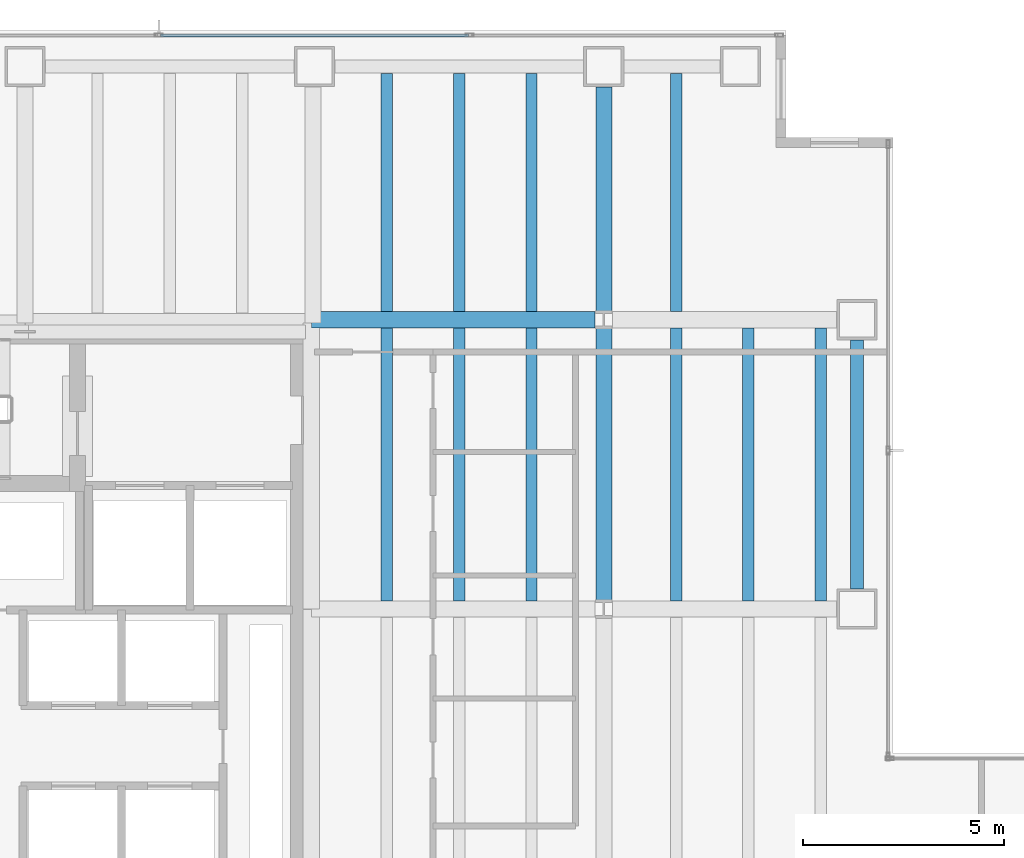
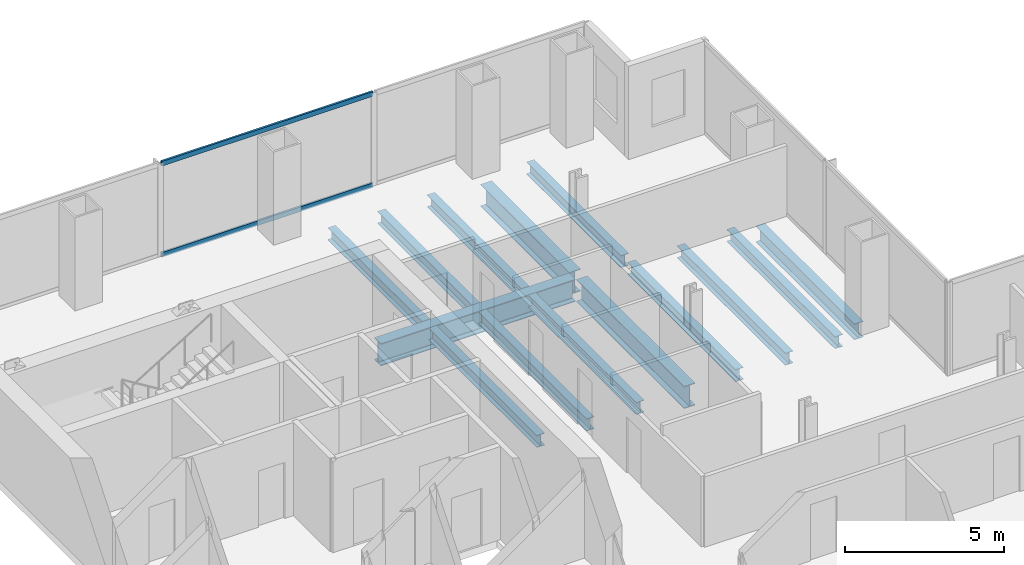
# One storey, part 17 of 25: 14 beams, 2 members, 1 element without a shape of its own.
"""IFC4 building model written with IfcOpenShell, lengths in metres."""

from ifc_helpers import new_model, si_unit, direction, frame, origin, origin_2d, place, context, subcontext, project, spatial, hollow_rectangle, i_section, extrude, material, material_profile, profile_set, type_object, element, aggregate, save


model = new_model("IFC4")

# Units and contexts
model_context = context("Model", 3, precision=1e-05, world=origin(), true_north=direction((0.0, 1.0)))
body_context = subcontext(model_context, "Body", "Model", "MODEL_VIEW")
ifc_project = project(units=[si_unit("LENGTHUNIT", "METRE"), si_unit("AREAUNIT", "SQUARE_METRE"), si_unit("VOLUMEUNIT", "CUBIC_METRE"), si_unit("PLANEANGLEUNIT", "RADIAN"), si_unit("MASSUNIT", "GRAM", prefix="KILO")], contexts=[model_context])

# Site, building, storey
site_placement = place(None, origin())
site = spatial("IfcSite", under=ifc_project, at=site_placement, CompositionType="ELEMENT")
building_placement = place(site_placement, origin())
building = spatial("IfcBuilding", under=site, at=building_placement, Name="Cobrela Telecom Tower", CompositionType="ELEMENT")
storey_placement = place(building_placement, frame((0.0, 0.0, 58.10009765625)))
storey = spatial("IfcBuildingStorey", under=building, at=storey_placement, Name="L14", CompositionType="ELEMENT", Elevation=58.10009765625)

# Beams
ifc_material_1 = material(Name="Steel ASTM A992 Grade 50", Category="steel")
ifc_material_profile_1 = material_profile(ifc_material_1, i_section(OverallWidth=0.39892578125, OverallDepth=0.85595703125, WebThickness=0.018310546875, FlangeThickness=0.029296875, FilletRadius=0.02001953125, at=origin_2d()), Name="W33X201")
ifc_profile_set_1 = profile_set([ifc_material_profile_1], Name="Steel ASTM A992 Grade 50")
beam_type_1 = type_object("IfcBeamType", Name="BM-GIRD-03", PredefinedType="USERDEFINED", material=ifc_profile_set_1)
beam_1_placement = place(storey_placement, frame((14.324951171875, 36.0, -0.7080078125), z_axis=(1.0, 0.0, 0.0), x_axis=(0.0, 1.0, 0.0)))
element("IfcBeam", 1, at=beam_1_placement, inside=storey, type_object=beam_type_1, Name="L14 Primary Girder X27", ObjectType="GIRDER", PredefinedType="USERDEFINED", context=body_context, shape_type="SweptSolid", body=[
    extrude(i_section(OverallWidth=0.39892578125, OverallDepth=0.85595703125, WebThickness=0.018310546875, FlangeThickness=0.029296875, FilletRadius=0.02001953125, at=origin_2d()), origin(), (0.0, 0.0, 1.0), 7.05908203125),
])
beam_2_placement = place(storey_placement, frame((21.60009765625, 29.01611328125, -0.7080078125), z_axis=(0.0, 1.0, 0.0), x_axis=(-1.0, 0.0, 0.0)))
element("IfcBeam", 2, at=beam_2_placement, inside=storey, type_object=beam_type_1, Name="L14 Primary Girder Y44", ObjectType="GIRDER", PredefinedType="USERDEFINED", context=body_context, shape_type="SweptSolid", body=[
    extrude(i_section(OverallWidth=0.39892578125, OverallDepth=0.85595703125, WebThickness=0.018310546875, FlangeThickness=0.029296875, FilletRadius=0.02001953125, at=origin_2d()), origin(), (0.0, 0.0, 1.0), 6.767822265625),
])
beam_3_placement = place(storey_placement, frame((21.60009765625, 36.216064453125, -0.7080078125), z_axis=(0.0, 1.0, 0.0), x_axis=(-1.0, 0.0, 0.0)))
element("IfcBeam", 3, at=beam_3_placement, inside=storey, type_object=beam_type_1, Name="L14 Primary Girder Y45", ObjectType="GIRDER", PredefinedType="USERDEFINED", context=body_context, shape_type="SweptSolid", body=[
    extrude(i_section(OverallWidth=0.39892578125, OverallDepth=0.85595703125, WebThickness=0.018310546875, FlangeThickness=0.029296875, FilletRadius=0.02001953125, at=origin_2d()), origin(), (0.0, 0.0, 1.0), 5.578857421875),
])
ifc_material_profile_2 = material_profile(ifc_material_1, i_section(OverallWidth=0.281982421875, OverallDepth=0.467041015625, WebThickness=0.01220703125, FlangeThickness=0.01953125, FilletRadius=0.012939453125, at=origin_2d()), Name="W18X86")
ifc_profile_set_2 = profile_set([ifc_material_profile_2], Name="Steel ASTM A992 Grade 50")
beam_type_2 = type_object("IfcBeamType", Name="BM-JOIST-02", PredefinedType="JOIST", material=ifc_profile_set_2)
beam_4_placement = place(storey_placement, frame((16.199951171875, 29.00439453125, -0.513671875), z_axis=(0.0, 1.0, 0.0), x_axis=(-1.0, 0.0, 0.0)))
element("IfcBeam", 4, at=beam_4_placement, inside=storey, type_object=beam_type_2, Name="L14 Secondary Composite Floor Beam J11", PredefinedType="JOIST", context=body_context, shape_type="SweptSolid", body=[
    extrude(i_section(OverallWidth=0.281982421875, OverallDepth=0.467041015625, WebThickness=0.01220703125, FlangeThickness=0.01953125, FilletRadius=0.012939453125, at=origin_2d()), origin(), (0.0, 0.0, 1.0), 6.791015625),
])
beam_5_placement = place(storey_placement, frame((16.199951171875, 36.20458984375, -0.513671875), z_axis=(0.0, 1.0, 0.0), x_axis=(-1.0, 0.0, 0.0)))
element("IfcBeam", 5, at=beam_5_placement, inside=storey, type_object=beam_type_2, Name="L14 Secondary Composite Floor Beam J12", PredefinedType="JOIST", context=body_context, shape_type="SweptSolid", body=[
    extrude(i_section(OverallWidth=0.281982421875, OverallDepth=0.467041015625, WebThickness=0.01220703125, FlangeThickness=0.01953125, FilletRadius=0.012939453125, at=origin_2d()), origin(), (0.0, 0.0, 1.0), 5.927978515625),
])
beam_6_placement = place(storey_placement, frame((18.0, 29.00439453125, -0.513671875), z_axis=(0.0, 1.0, 0.0), x_axis=(-1.0, 0.0, 0.0)))
element("IfcBeam", 6, at=beam_6_placement, inside=storey, type_object=beam_type_2, Name="L14 Secondary Composite Floor Beam J17", PredefinedType="JOIST", context=body_context, shape_type="SweptSolid", body=[
    extrude(i_section(OverallWidth=0.281982421875, OverallDepth=0.467041015625, WebThickness=0.01220703125, FlangeThickness=0.01953125, FilletRadius=0.012939453125, at=origin_2d()), origin(), (0.0, 0.0, 1.0), 6.791015625),
])
beam_7_placement = place(storey_placement, frame((18.0, 36.20458984375, -0.513671875), z_axis=(0.0, 1.0, 0.0), x_axis=(-1.0, 0.0, 0.0)))
element("IfcBeam", 7, at=beam_7_placement, inside=storey, type_object=beam_type_2, Name="L14 Secondary Composite Floor Beam J18", PredefinedType="JOIST", context=body_context, shape_type="SweptSolid", body=[
    extrude(i_section(OverallWidth=0.281982421875, OverallDepth=0.467041015625, WebThickness=0.01220703125, FlangeThickness=0.01953125, FilletRadius=0.012939453125, at=origin_2d()), origin(), (0.0, 0.0, 1.0), 5.927978515625),
])
beam_8_placement = place(storey_placement, frame((19.800048828125, 29.00439453125, -0.513671875), z_axis=(0.0, 1.0, 0.0), x_axis=(-1.0, 0.0, 0.0)))
element("IfcBeam", 8, at=beam_8_placement, inside=storey, type_object=beam_type_2, Name="L14 Secondary Composite Floor Beam J23", PredefinedType="JOIST", context=body_context, shape_type="SweptSolid", body=[
    extrude(i_section(OverallWidth=0.281982421875, OverallDepth=0.467041015625, WebThickness=0.01220703125, FlangeThickness=0.01953125, FilletRadius=0.012939453125, at=origin_2d()), origin(), (0.0, 0.0, 1.0), 6.791015625),
])
beam_9_placement = place(storey_placement, frame((19.800048828125, 36.20458984375, -0.513671875), z_axis=(0.0, 1.0, 0.0), x_axis=(-1.0, 0.0, 0.0)))
element("IfcBeam", 9, at=beam_9_placement, inside=storey, type_object=beam_type_2, Name="L14 Secondary Composite Floor Beam J24", PredefinedType="JOIST", context=body_context, shape_type="SweptSolid", body=[
    extrude(i_section(OverallWidth=0.281982421875, OverallDepth=0.467041015625, WebThickness=0.01220703125, FlangeThickness=0.01953125, FilletRadius=0.012939453125, at=origin_2d()), origin(), (0.0, 0.0, 1.0), 5.927978515625),
])
beam_10_placement = place(storey_placement, frame((23.39990234375, 29.00439453125, -0.513671875), z_axis=(0.0, 1.0, 0.0), x_axis=(-1.0, 0.0, 0.0)))
element("IfcBeam", 10, at=beam_10_placement, inside=storey, type_object=beam_type_2, Name="L14 Secondary Composite Floor Beam J29", PredefinedType="JOIST", context=body_context, shape_type="SweptSolid", body=[
    extrude(i_section(OverallWidth=0.281982421875, OverallDepth=0.467041015625, WebThickness=0.01220703125, FlangeThickness=0.01953125, FilletRadius=0.012939453125, at=origin_2d()), origin(), (0.0, 0.0, 1.0), 6.791015625),
])
beam_11_placement = place(storey_placement, frame((23.39990234375, 36.20458984375, -0.513671875), z_axis=(0.0, 1.0, 0.0), x_axis=(-1.0, 0.0, 0.0)))
element("IfcBeam", 11, at=beam_11_placement, inside=storey, type_object=beam_type_2, Name="L14 Secondary Composite Floor Beam J30", PredefinedType="JOIST", context=body_context, shape_type="SweptSolid", body=[
    extrude(i_section(OverallWidth=0.281982421875, OverallDepth=0.467041015625, WebThickness=0.01220703125, FlangeThickness=0.01953125, FilletRadius=0.012939453125, at=origin_2d()), origin(), (0.0, 0.0, 1.0), 5.927978515625),
])
for number, where, z_axis, x_axis, name in (
    (12, (25.199951171875, 29.00439453125, -0.513671875), (0.0, 1.0, 0.0), (-1.0, 0.0, 0.0), "L14 Secondary Composite Floor Beam J35"),
    (13, (27.0, 29.00439453125, -0.513671875), (0.0, 1.0, 0.0), (-1.0, 0.0, 0.0), "L14 Secondary Composite Floor Beam J40"),
):
    element("IfcBeam", number, at=place(storey_placement, frame(where, z_axis=z_axis, x_axis=x_axis)), inside=storey, type_object=beam_type_2, Name=name, PredefinedType="JOIST", context=body_context, shape_type="SweptSolid", body=[
        extrude(i_section(OverallWidth=0.281982421875, OverallDepth=0.467041015625, WebThickness=0.01220703125, FlangeThickness=0.01953125, FilletRadius=0.012939453125, at=origin_2d()), origin(), (0.0, 0.0, 1.0), 6.791015625),
    ])
ifc_material_profile_3 = material_profile(ifc_material_1, i_section(OverallWidth=0.324951171875, OverallDepth=0.612060546875, WebThickness=0.0126953125, FlangeThickness=0.01904296875, FilletRadius=0.014892578125, at=origin_2d()), Name="W24X104")
ifc_profile_set_3 = profile_set([ifc_material_profile_3], Name="Steel ASTM A992 Grade 50")
beam_type_3 = type_object("IfcBeamType", Name="BM-SPAND-02", PredefinedType="SPANDREL", material=ifc_profile_set_3)
beam_12_placement = place(storey_placement, frame((27.89990234375, 29.304931640625, -0.586181640625), z_axis=(0.0, 1.0, 0.0), x_axis=(-1.0, 0.0, 0.0)))
element("IfcBeam", 14, at=beam_12_placement, inside=storey, type_object=beam_type_3, Name="L14 Perimeter Spandrel Y46", PredefinedType="SPANDREL", context=body_context, shape_type="SweptSolid", body=[
    extrude(i_section(OverallWidth=0.324951171875, OverallDepth=0.612060546875, WebThickness=0.0126953125, FlangeThickness=0.01904296875, FilletRadius=0.014892578125, at=origin_2d()), origin(), (0.0, 0.0, 1.0), 6.190185546875),
])

# Curtain wall, members
ifc_material_2 = material(Name="Anodized Bronze Aluminium 6063-T6", Category="aluminium")
curtain_wall_type = type_object("IfcCurtainWallType", Name="CW-SYS-DATA", PredefinedType="USERDEFINED", material=ifc_material_2)
curtain_wall_placement = place(storey_placement, origin())
curtain_wall = element("IfcCurtainWall", 15, at=curtain_wall_placement, inside=storey, type_object=curtain_wall_type, Name="L14 Unitised Bronze Curtain Wall 07", ObjectType="UNITISED CURTAIN WALL", PredefinedType="USERDEFINED")
ifc_material_profile_4 = material_profile(ifc_material_2, hollow_rectangle(XDim=0.074951171875, YDim=0.179931640625, WallThickness=0.00390625, at=origin_2d()), Name="ALU 75x180x4")
ifc_profile_set_4 = profile_set([ifc_material_profile_4], Name="Anodized Bronze Aluminium 6063-T6")
member_type = type_object("IfcMemberType", Name="CW-SYS-DATA-TRN", PredefinedType="USERDEFINED", material=ifc_profile_set_4)
member_1_placement = place(storey_placement, frame((10.570068359375, 43.080078125, 0.037353515625), z_axis=(1.0, 0.0, 0.0), x_axis=(0.0, 1.0, 0.0)))
member_1 = element("IfcMember", 16, at=member_1_placement, type_object=member_type, Name="CW-DATA transom 2.1", ObjectType="TRANSOM", PredefinedType="USERDEFINED", context=body_context, shape_type="SweptSolid", body=[
    extrude(hollow_rectangle(XDim=0.074951171875, YDim=0.179931640625, WallThickness=0.00390625, at=origin_2d()), origin(), (0.0, 0.0, 1.0), 7.659912109375),
])
member_2_placement = place(storey_placement, frame((10.570068359375, 43.080078125, 3.532470703125), z_axis=(1.0, 0.0, 0.0), x_axis=(0.0, 1.0, 0.0)))
member_2 = element("IfcMember", 17, at=member_2_placement, type_object=member_type, Name="CW-DATA transom 2.2", ObjectType="TRANSOM", PredefinedType="USERDEFINED", context=body_context, shape_type="SweptSolid", body=[
    extrude(hollow_rectangle(XDim=0.074951171875, YDim=0.179931640625, WallThickness=0.00390625, at=origin_2d()), origin(), (0.0, 0.0, 1.0), 7.659912109375),
])
aggregate(curtain_wall, [member_1, member_2])

save(model, "model.ifc")
